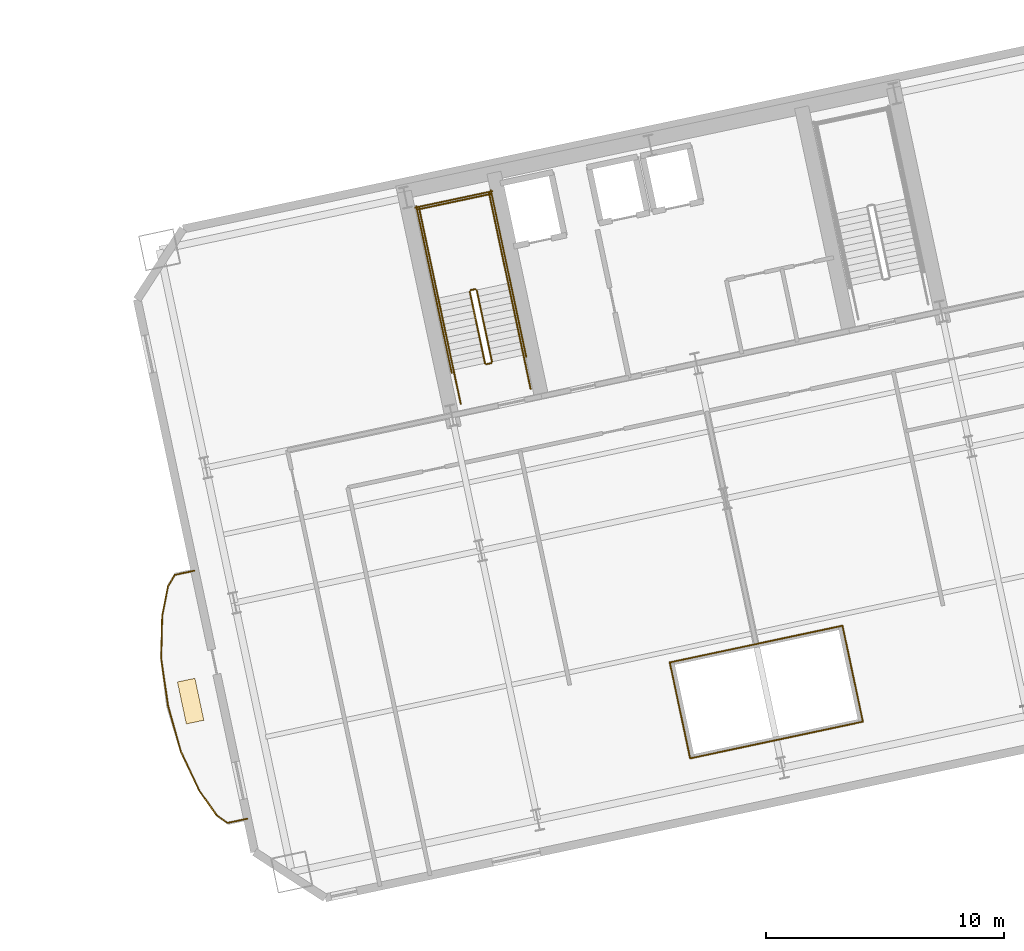
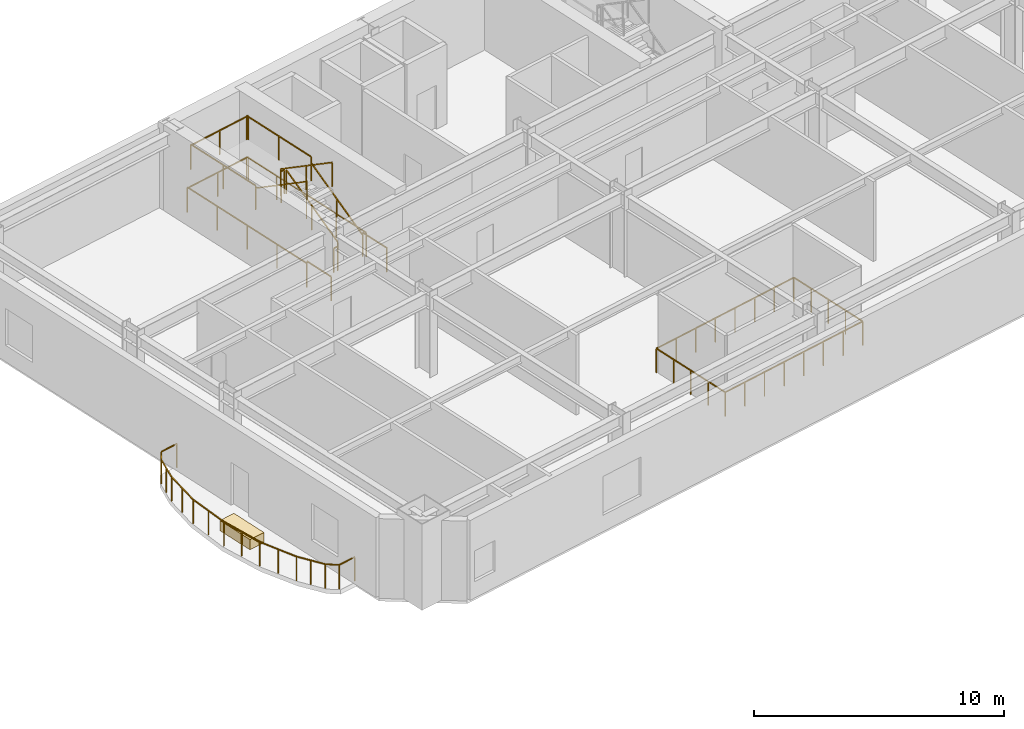
# One storey, part 14 of 15: 28 railings, 1 covering.
"""IFC4 building model written with IfcOpenShell, lengths in metres."""

import ifcopenshell
import ifcopenshell.guid

model = None  # the IFC model being written
_history = None  # IfcOwnerHistory: only IFC2X3 demands one
_inside = {}  # id of a spatial element -> (the spatial element, [elements in it])
_under = {}  # id of a project, library or spatial element -> (it, [spatial elements below it])
_declared = {}  # id of a project -> (the project, [libraries it declares])
_typed = {}  # id of a type object -> (the type object, [elements of that type])
_made_of = {}  # id of a material, layer set ... -> (it, [elements and type objects made of it])


def new_model(schema):
    """Start an empty IFC model of exactly this schema.

    Asked for "IFC4X3", IfcOpenShell would pick the latest addendum, in which some entities
    have other attributes; the version numbers below select the first issue.
    IFC2X3 requires an IfcOwnerHistory on every rooted entity: one is made here for all.
    """
    global model, _history
    if schema == "IFC4X3":
        model = ifcopenshell.file(schema_version=(4, 3, 0, 0))
    else:
        model = ifcopenshell.file(schema=schema)
    _inside.clear()
    _under.clear()
    _declared.clear()
    _typed.clear()
    _made_of.clear()
    _history = None
    if model.schema == "IFC2X3":
        org = make("IfcOrganization", Name="unknown")
        user = make(
            "IfcPersonAndOrganization",
            ThePerson=make("IfcPerson", FamilyName="unknown"),
            TheOrganization=org,
        )
        app = make(
            "IfcApplication",
            ApplicationDeveloper=org,
            Version="unknown",
            ApplicationFullName="unknown",
            ApplicationIdentifier="unknown",
        )
        _history = make(
            "IfcOwnerHistory",
            OwningUser=user,
            OwningApplication=app,
            ChangeAction="ADDED",
            CreationDate=0,
        )
    return model


def make(cls, **values):
    """One entity of the class cls with the attributes given. An attribute that is None is left unset."""
    return model.create_entity(
        cls, **{name: value for name, value in values.items() if value is not None}
    )


def rooted(cls, **values):
    """An entity with a GlobalId (a new one), such as an element, a storey or a relation."""
    return make(cls, GlobalId=ifcopenshell.guid.new(), OwnerHistory=_history, **values)


def si_unit(unit_type, name, prefix=None):
    """IfcSIUnit, for example si_unit("LENGTHUNIT", "METRE", prefix="MILLI")."""
    return make("IfcSIUnit", UnitType=unit_type, Prefix=prefix, Name=name)


def assignment(units):
    """IfcUnitAssignment: the units of a project."""
    return None if units is None else make("IfcUnitAssignment", Units=units)


def point(xyz):
    """IfcCartesianPoint."""
    return None if xyz is None else make("IfcCartesianPoint", Coordinates=xyz)


def direction(xyz):
    """IfcDirection."""
    return None if xyz is None else make("IfcDirection", DirectionRatios=xyz)


def frame(location, z_axis=None, x_axis=None):
    """IfcAxis2Placement3D, a coordinate frame: its origin and axes. An axis left out is left unset."""
    return make(
        "IfcAxis2Placement3D",
        Location=point(location),
        Axis=direction(z_axis),
        RefDirection=direction(x_axis),
    )


def frame_2d(location, x_axis=None):
    """IfcAxis2Placement2D, a coordinate frame in the plane: its origin and x axis."""
    return make(
        "IfcAxis2Placement2D", Location=point(location), RefDirection=direction(x_axis)
    )


def origin():
    """The frame at (0, 0, 0) with its axes left unset."""
    return frame((0.0, 0.0, 0.0))


def origin_2d():
    """The frame at (0, 0) in the plane with its x axis left unset."""
    return frame_2d((0.0, 0.0))


def place(relative_to, where):
    """IfcLocalPlacement: puts the frame where relative to a parent placement (None: the world)."""
    return make(
        "IfcLocalPlacement", PlacementRelTo=relative_to, RelativePlacement=where
    )


def context(
    kind, dimensions, precision=None, world=None, true_north=None, identifier=None
):
    """IfcGeometricRepresentationContext, for example the 3D "Model" context."""
    return make(
        "IfcGeometricRepresentationContext",
        ContextIdentifier=identifier,
        ContextType=kind,
        CoordinateSpaceDimension=dimensions,
        Precision=precision,
        WorldCoordinateSystem=world,
        TrueNorth=true_north,
    )


def subcontext(parent, identifier, kind, view, scale=None):
    """IfcGeometricRepresentationSubContext, for example "Body" below "Model"."""
    return make(
        "IfcGeometricRepresentationSubContext",
        ContextIdentifier=identifier,
        ContextType=kind,
        ParentContext=parent,
        TargetScale=scale,
        TargetView=view,
    )


def project(units=None, contexts=None):
    """IfcProject with its units and contexts."""
    return rooted(
        "IfcProject",
        Name="project",
        RepresentationContexts=contexts,
        UnitsInContext=assignment(units),
    )


def spatial(cls, under=None, at=None, **own):
    """A site, building, storey or space (cls), placed at a placement, below another one or the project."""
    s = rooted(cls, ObjectPlacement=at, **own)
    if under is not None:
        _under.setdefault(under.id(), (under, []))[1].append(s)
    return s


def profile(cls, at=None, kind="AREA", **sizes):
    """A parametric profile (cls). Its sizes go by their IFC names, for example OverallWidth=200.0."""
    return make(cls, ProfileType=kind, Position=at, **sizes)


def rectangle(**sizes):
    """IfcRectangleProfileDef."""
    return profile("IfcRectangleProfileDef", **sizes)


def extrude(swept, where, along, depth):
    """IfcExtrudedAreaSolid: the profile swept, set in the frame where, extruded along a direction by depth."""
    return make(
        "IfcExtrudedAreaSolid",
        SweptArea=swept,
        Position=where,
        ExtrudedDirection=direction(along),
        Depth=depth,
    )


def shape(context_of_items, identifier, shape_type, items):
    """IfcShapeRepresentation: the items that make up one representation, for example the "Body"."""
    return make(
        "IfcShapeRepresentation",
        ContextOfItems=context_of_items,
        RepresentationIdentifier=identifier,
        RepresentationType=shape_type,
        Items=items,
    )


def material(Name=None, Category=None):
    """IfcMaterial."""
    return make("IfcMaterial", Name=Name, Category=Category)


def layer(
    of_material, thickness, ventilated=None, Name=None, Category=None, Priority=None
):
    """IfcMaterialLayer: one layer of a wall or slab, of a material (None: an air gap)."""
    return make(
        "IfcMaterialLayer",
        Material=of_material,
        LayerThickness=thickness,
        IsVentilated=ventilated,
        Name=Name,
        Category=Category,
        Priority=Priority,
    )


def layer_set(layers, Name=None):
    """IfcMaterialLayerSet."""
    return make("IfcMaterialLayerSet", MaterialLayers=layers, LayerSetName=Name)


def made_of(thing, what):
    """Note that an element or type object is made of a material, layer set ...; save() writes the relation."""
    if what is not None:
        _made_of.setdefault(what.id(), (what, []))[1].append(thing)
    return thing


def type_object(cls, material=None, **own):
    """A type object (cls), such as IfcWallType, which elements share."""
    return made_of(rooted(cls, **own), material)


def element(
    cls,
    number,
    at=None,
    inside=None,
    cuts=None,
    type_object=None,
    material=None,
    context=None,
    identifier="Body",
    shape_type=None,
    held_by="IfcProductDefinitionShape",
    body=None,
    shapes=None,
    **own,
):
    """One element of the class cls, such as IfcWall. Its Tag is "e" and its number.

    at: its placement. inside: the storey or other place that contains it. cuts: it is an
    opening in that element (IfcRelVoidsElement). A single representation is given by context,
    identifier, shape_type and body (its items); several are given by shapes. held_by: the class
    of the entity that holds the representations. save() writes the other relations.
    """
    e = rooted(cls, Tag="e%d" % number, ObjectPlacement=at, **own)
    if body is not None:
        shapes = [shape(context, identifier, shape_type, body)]
    if shapes is not None:
        e.Representation = make(held_by, Representations=shapes)
    if inside is not None:
        _inside.setdefault(inside.id(), (inside, []))[1].append(e)
    if cuts is not None:
        rooted(
            "IfcRelVoidsElement", RelatingBuildingElement=cuts, RelatedOpeningElement=e
        )
    if type_object is not None:
        _typed.setdefault(type_object.id(), (type_object, []))[1].append(e)
    return made_of(e, material)


def aggregate(whole, parts):
    """IfcRelAggregates: a whole, such as a stair, and the parts it consists of."""
    return rooted("IfcRelAggregates", RelatingObject=whole, RelatedObjects=parts)


def save(model, path):
    """Write the relations noted so far, then the file.

    IfcRelAggregates (storeys below a building ...), IfcRelContainedInSpatialStructure (elements
    in a storey), IfcRelDefinesByType, IfcRelAssociatesMaterial and IfcRelDeclares: one each for
    every whole, place, type object, material and project.
    """
    for whole, parts in _under.values():
        aggregate(whole, parts)
    for where, things in _inside.values():
        rooted(
            "IfcRelContainedInSpatialStructure",
            RelatedElements=things,
            RelatingStructure=where,
        )
    for kind, things in _typed.values():
        rooted("IfcRelDefinesByType", RelatedObjects=things, RelatingType=kind)
    for what, things in _made_of.values():
        rooted("IfcRelAssociatesMaterial", RelatedObjects=things, RelatingMaterial=what)
    for by, libraries in _declared.values():
        rooted("IfcRelDeclares", RelatingContext=by, RelatedDefinitions=libraries)
    model.write(path)


model = new_model("IFC4")

# Units and contexts
model_context = context("Model", 3, precision=1e-05, world=origin(), true_north=direction((0.0, 1.0)))
body_context = subcontext(model_context, "Body", "Model", "MODEL_VIEW")
ifc_project = project(units=[si_unit("LENGTHUNIT", "METRE"), si_unit("AREAUNIT", "SQUARE_METRE"), si_unit("VOLUMEUNIT", "CUBIC_METRE"), si_unit("PLANEANGLEUNIT", "RADIAN"), si_unit("MASSUNIT", "GRAM", prefix="KILO")], contexts=[model_context])

# Site, building, storey
site_placement = place(None, origin())
site = spatial("IfcSite", under=ifc_project, at=site_placement, CompositionType="ELEMENT")
building_placement = place(site_placement, origin())
building = spatial("IfcBuilding", under=site, at=building_placement, Name="Haevon Station Towers", CompositionType="ELEMENT")
storey_placement = place(building_placement, frame((0.0, 0.0, 77.699951171875)))
storey = spatial("IfcBuildingStorey", under=building, at=storey_placement, Name="L20", CompositionType="ELEMENT", Elevation=77.699951171875)

# Railings
ifc_material_1 = material(Name="Steel S355", Category="steel")
railing_type_1 = type_object("IfcRailingType", Name="BAL-ATR1200", PredefinedType="BALUSTRADE", material=ifc_material_1)
railing_1_placement = place(storey_placement, frame((108.758544921875, 23.050048828125, 0.0)))
element("IfcRailing", 1, at=railing_1_placement, inside=storey, type_object=railing_type_1, Name="L20 Atrium Void Balustrade 1", PredefinedType="BALUSTRADE", context=body_context, shape_type="SweptSolid", body=[
    extrude(rectangle(XDim=0.048095703125, YDim=0.048095703125, at=origin_2d()), frame((0.0, 0.0, 1.17578125), z_axis=(0.978148717371, 0.207906437384, 0.0), x_axis=(-0.207906437384, 0.978148717371, 0.0)), (0.0, 0.0, 1.0), 7.40966796875),
    extrude(rectangle(XDim=0.0419921875, YDim=0.0419921875, at=origin_2d()), origin(), (0.0, 0.0, 1.0), 1.15185546875),
    extrude(rectangle(XDim=0.0419921875, YDim=0.0419921875, at=origin_2d()), frame((1.035400390625, 0.219970703125, 0.0)), (0.0, 0.0, 1.0), 1.15185546875),
    extrude(rectangle(XDim=0.0419921875, YDim=0.0419921875, at=origin_2d()), frame((2.07080078125, 0.440185546875, 0.0)), (0.0, 0.0, 1.0), 1.15185546875),
    extrude(rectangle(XDim=0.0419921875, YDim=0.0419921875, at=origin_2d()), frame((3.106201171875, 0.66015625, 0.0)), (0.0, 0.0, 1.0), 1.15185546875),
    extrude(rectangle(XDim=0.0419921875, YDim=0.0419921875, at=origin_2d()), frame((4.1416015625, 0.88037109375, 0.0)), (0.0, 0.0, 1.0), 1.15185546875),
    extrude(rectangle(XDim=0.0419921875, YDim=0.0419921875, at=origin_2d()), frame((5.177001953125, 1.100341796875, 0.0)), (0.0, 0.0, 1.0), 1.15185546875),
    extrude(rectangle(XDim=0.0419921875, YDim=0.0419921875, at=origin_2d()), frame((6.21240234375, 1.320556640625, 0.0)), (0.0, 0.0, 1.0), 1.15185546875),
    extrude(rectangle(XDim=0.0419921875, YDim=0.0419921875, at=origin_2d()), frame((7.247802734375, 1.54052734375, 0.0)), (0.0, 0.0, 1.0), 1.15185546875),
])
railing_2_placement = place(storey_placement, frame((116.00634765625, 24.590576171875, 0.0)))
element("IfcRailing", 2, at=railing_2_placement, inside=storey, type_object=railing_type_1, Name="L20 Atrium Void Balustrade 2", PredefinedType="BALUSTRADE", context=body_context, shape_type="SweptSolid", body=[
    extrude(rectangle(XDim=0.048095703125, YDim=0.048095703125, at=origin_2d()), frame((0.0, 0.0, 1.17578125), z_axis=(-0.207928976297, 0.978143926432, 0.0), x_axis=(-0.978143926432, -0.207928976297, 0.0)), (0.0, 0.0, 1.0), 4.11669921875),
    extrude(rectangle(XDim=0.0419921875, YDim=0.0419921875, at=origin_2d()), origin(), (0.0, 0.0, 1.0), 1.15185546875),
    extrude(rectangle(XDim=0.0419921875, YDim=0.0419921875, at=origin_2d()), frame((-0.2138671875, 1.006591796875, 0.0)), (0.0, 0.0, 1.0), 1.15185546875),
    extrude(rectangle(XDim=0.0419921875, YDim=0.0419921875, at=origin_2d()), frame((-0.427978515625, 2.01318359375, 0.0)), (0.0, 0.0, 1.0), 1.15185546875),
    extrude(rectangle(XDim=0.0419921875, YDim=0.0419921875, at=origin_2d()), frame((-0.64208984375, 3.02001953125, 0.0)), (0.0, 0.0, 1.0), 1.15185546875),
    extrude(rectangle(XDim=0.0419921875, YDim=0.0419921875, at=origin_2d()), frame((-0.85595703125, 4.026611328125, 0.0)), (0.0, 0.0, 1.0), 1.15185546875),
])
railing_3_placement = place(storey_placement, frame((115.150390625, 28.6171875, 0.0)))
element("IfcRailing", 3, at=railing_3_placement, inside=storey, type_object=railing_type_1, Name="L20 Atrium Void Balustrade 3", PredefinedType="BALUSTRADE", context=body_context, shape_type="SweptSolid", body=[
    extrude(rectangle(XDim=0.048095703125, YDim=0.048095703125, at=origin_2d()), frame((0.0, 0.0, 1.17578125), z_axis=(-0.978148717371, -0.207906437384, 0.0), x_axis=(0.207906437384, -0.978148717371, 0.0)), (0.0, 0.0, 1.0), 7.40966796875),
    extrude(rectangle(XDim=0.0419921875, YDim=0.0419921875, at=origin_2d()), origin(), (0.0, 0.0, 1.0), 1.15185546875),
    extrude(rectangle(XDim=0.0419921875, YDim=0.0419921875, at=origin_2d()), frame((-1.035400390625, -0.219970703125, 0.0)), (0.0, 0.0, 1.0), 1.15185546875),
    extrude(rectangle(XDim=0.0419921875, YDim=0.0419921875, at=origin_2d()), frame((-2.07080078125, -0.440185546875, 0.0)), (0.0, 0.0, 1.0), 1.15185546875),
    extrude(rectangle(XDim=0.0419921875, YDim=0.0419921875, at=origin_2d()), frame((-3.106201171875, -0.66015625, 0.0)), (0.0, 0.0, 1.0), 1.15185546875),
    extrude(rectangle(XDim=0.0419921875, YDim=0.0419921875, at=origin_2d()), frame((-4.1416015625, -0.88037109375, 0.0)), (0.0, 0.0, 1.0), 1.15185546875),
    extrude(rectangle(XDim=0.0419921875, YDim=0.0419921875, at=origin_2d()), frame((-5.177001953125, -1.100341796875, 0.0)), (0.0, 0.0, 1.0), 1.15185546875),
    extrude(rectangle(XDim=0.0419921875, YDim=0.0419921875, at=origin_2d()), frame((-6.21240234375, -1.320556640625, 0.0)), (0.0, 0.0, 1.0), 1.15185546875),
    extrude(rectangle(XDim=0.0419921875, YDim=0.0419921875, at=origin_2d()), frame((-7.247802734375, -1.54052734375, 0.0)), (0.0, 0.0, 1.0), 1.15185546875),
])
railing_4_placement = place(storey_placement, frame((107.902587890625, 27.07666015625, 0.0)))
element("IfcRailing", 4, at=railing_4_placement, inside=storey, type_object=railing_type_1, Name="L20 Atrium Void Balustrade 4", PredefinedType="BALUSTRADE", context=body_context, shape_type="SweptSolid", body=[
    extrude(rectangle(XDim=0.048095703125, YDim=0.048095703125, at=origin_2d()), frame((0.0, 0.0, 1.17578125), z_axis=(0.207928976297, -0.978143926432, 0.0), x_axis=(0.978143926432, 0.207928976297, 0.0)), (0.0, 0.0, 1.0), 4.11669921875),
    extrude(rectangle(XDim=0.0419921875, YDim=0.0419921875, at=origin_2d()), origin(), (0.0, 0.0, 1.0), 1.15185546875),
    extrude(rectangle(XDim=0.0419921875, YDim=0.0419921875, at=origin_2d()), frame((0.2138671875, -1.006591796875, 0.0)), (0.0, 0.0, 1.0), 1.15185546875),
    extrude(rectangle(XDim=0.0419921875, YDim=0.0419921875, at=origin_2d()), frame((0.427978515625, -2.01318359375, 0.0)), (0.0, 0.0, 1.0), 1.15185546875),
    extrude(rectangle(XDim=0.0419921875, YDim=0.0419921875, at=origin_2d()), frame((0.64208984375, -3.02001953125, 0.0)), (0.0, 0.0, 1.0), 1.15185546875),
    extrude(rectangle(XDim=0.0419921875, YDim=0.0419921875, at=origin_2d()), frame((0.85595703125, -4.026611328125, 0.0)), (0.0, 0.0, 1.0), 1.15185546875),
])
railing_type_2 = type_object("IfcRailingType", Name="GRD-EXT1200", PredefinedType="GUARDRAIL", material=ifc_material_1)
railing_5_placement = place(storey_placement, frame((87.947265625, 30.92578125, 0.0)))
element("IfcRailing", 5, at=railing_5_placement, inside=storey, type_object=railing_type_2, Name="L20 Perimeter Guardrail 1", PredefinedType="GUARDRAIL", context=body_context, shape_type="SweptSolid", body=[
    extrude(rectangle(XDim=0.048095703125, YDim=0.048095703125, at=origin_2d()), frame((0.0, 0.0, 1.17578125), z_axis=(-0.97761867619, -0.210384704682, 0.0), x_axis=(0.210384704682, -0.97761867619, 0.0)), (0.0, 0.0, 1.0), 0.837890625),
    extrude(rectangle(XDim=0.0419921875, YDim=0.0419921875, at=origin_2d()), origin(), (0.0, 0.0, 1.0), 1.15185546875),
    extrude(rectangle(XDim=0.0419921875, YDim=0.0419921875, at=origin_2d()), frame((-0.819091796875, -0.17626953125, 0.0)), (0.0, 0.0, 1.0), 1.15185546875),
])
railing_6_placement = place(storey_placement, frame((87.128173828125, 30.74951171875, 0.0)))
element("IfcRailing", 6, at=railing_6_placement, inside=storey, type_object=railing_type_2, Name="L20 Perimeter Guardrail 2", PredefinedType="GUARDRAIL", context=body_context, shape_type="SweptSolid", body=[
    extrude(rectangle(XDim=0.048095703125, YDim=0.048095703125, at=origin_2d()), frame((0.0, 0.0, 1.17578125), z_axis=(-0.508242948438, -0.861213739651, 0.0), x_axis=(0.861213739651, -0.508242948438, 0.0)), (0.0, 0.0, 1.0), 0.55810546875),
    extrude(rectangle(XDim=0.0419921875, YDim=0.0419921875, at=origin_2d()), origin(), (0.0, 0.0, 1.0), 1.15185546875),
    extrude(rectangle(XDim=0.0419921875, YDim=0.0419921875, at=origin_2d()), frame((-0.28369140625, -0.480712890625, 0.0)), (0.0, 0.0, 1.0), 1.15185546875),
])
railing_7_placement = place(storey_placement, frame((86.844482421875, 30.268798828125, 0.0)))
element("IfcRailing", 7, at=railing_7_placement, inside=storey, type_object=railing_type_2, Name="L20 Perimeter Guardrail 3", PredefinedType="GUARDRAIL", context=body_context, shape_type="SweptSolid", body=[
    extrude(rectangle(XDim=0.048095703125, YDim=0.048095703125, at=origin_2d()), frame((0.0, 0.0, 1.17578125), z_axis=(-0.193200510437, -0.981159295307, 0.0), x_axis=(0.981159295307, -0.193200510437, 0.0)), (0.0, 0.0, 1.0), 1.2724609375),
    extrude(rectangle(XDim=0.0419921875, YDim=0.0419921875, at=origin_2d()), origin(), (0.0, 0.0, 1.0), 1.15185546875),
    extrude(rectangle(XDim=0.0419921875, YDim=0.0419921875, at=origin_2d()), frame((-0.123046875, -0.624267578125, 0.0)), (0.0, 0.0, 1.0), 1.15185546875),
    extrude(rectangle(XDim=0.0419921875, YDim=0.0419921875, at=origin_2d()), frame((-0.245849609375, -1.24853515625, 0.0)), (0.0, 0.0, 1.0), 1.15185546875),
])
railing_8_placement = place(storey_placement, frame((86.5986328125, 29.020263671875, 0.0)))
element("IfcRailing", 8, at=railing_8_placement, inside=storey, type_object=railing_type_2, Name="L20 Perimeter Guardrail 4", PredefinedType="GUARDRAIL", context=body_context, shape_type="SweptSolid", body=[
    extrude(rectangle(XDim=0.048095703125, YDim=0.048095703125, at=origin_2d()), frame((0.0, 0.0, 1.17578125), z_axis=(-0.023132504332, -0.999732407819, 0.0), x_axis=(0.999732407819, -0.023132504332, 0.0)), (0.0, 0.0, 1.0), 1.794189453125),
    extrude(rectangle(XDim=0.0419921875, YDim=0.0419921875, at=origin_2d()), origin(), (0.0, 0.0, 1.0), 1.15185546875),
    extrude(rectangle(XDim=0.0419921875, YDim=0.0419921875, at=origin_2d()), frame((-0.020751953125, -0.89697265625, 0.0)), (0.0, 0.0, 1.0), 1.15185546875),
    extrude(rectangle(XDim=0.0419921875, YDim=0.0419921875, at=origin_2d()), frame((-0.04150390625, -1.793701171875, 0.0)), (0.0, 0.0, 1.0), 1.15185546875),
])
railing_9_placement = place(storey_placement, frame((86.55712890625, 27.2265625, 0.0)))
element("IfcRailing", 9, at=railing_9_placement, inside=storey, type_object=railing_type_2, Name="L20 Perimeter Guardrail 5", PredefinedType="GUARDRAIL", context=body_context, shape_type="SweptSolid", body=[
    extrude(rectangle(XDim=0.048095703125, YDim=0.048095703125, at=origin_2d()), frame((0.0, 0.0, 1.17578125), z_axis=(0.145733329145, -0.989323908928, 0.0), x_axis=(0.989323908928, 0.145733329145, 0.0)), (0.0, 0.0, 1.0), 1.996826171875),
    extrude(rectangle(XDim=0.0419921875, YDim=0.0419921875, at=origin_2d()), origin(), (0.0, 0.0, 1.0), 1.15185546875),
    extrude(rectangle(XDim=0.0419921875, YDim=0.0419921875, at=origin_2d()), frame((0.1455078125, -0.98779296875, 0.0)), (0.0, 0.0, 1.0), 1.15185546875),
    extrude(rectangle(XDim=0.0419921875, YDim=0.0419921875, at=origin_2d()), frame((0.291015625, -1.9755859375, 0.0)), (0.0, 0.0, 1.0), 1.15185546875),
])
railing_10_placement = place(storey_placement, frame((86.84814453125, 25.2509765625, 0.0)))
element("IfcRailing", 10, at=railing_10_placement, inside=storey, type_object=railing_type_2, Name="L20 Perimeter Guardrail 6", PredefinedType="GUARDRAIL", context=body_context, shape_type="SweptSolid", body=[
    extrude(rectangle(XDim=0.048095703125, YDim=0.048095703125, at=origin_2d()), frame((0.0, 0.0, 1.17578125), z_axis=(0.269339680849, -0.963045241056, 0.0), x_axis=(0.963045241056, 0.269339680849, 0.0)), (0.0, 0.0, 1.0), 1.996826171875),
    extrude(rectangle(XDim=0.0419921875, YDim=0.0419921875, at=origin_2d()), origin(), (0.0, 0.0, 1.0), 1.15185546875),
    extrude(rectangle(XDim=0.0419921875, YDim=0.0419921875, at=origin_2d()), frame((0.26904296875, -0.96142578125, 0.0)), (0.0, 0.0, 1.0), 1.15185546875),
    extrude(rectangle(XDim=0.0419921875, YDim=0.0419921875, at=origin_2d()), frame((0.537841796875, -1.923095703125, 0.0)), (0.0, 0.0, 1.0), 1.15185546875),
])
railing_11_placement = place(storey_placement, frame((87.385986328125, 23.327880859375, 0.0)))
element("IfcRailing", 11, at=railing_11_placement, inside=storey, type_object=railing_type_2, Name="L20 Perimeter Guardrail 7", PredefinedType="GUARDRAIL", context=body_context, shape_type="SweptSolid", body=[
    extrude(rectangle(XDim=0.048095703125, YDim=0.048095703125, at=origin_2d()), frame((0.0, 0.0, 1.17578125), z_axis=(0.427676850936, -0.903931696077, 0.0), x_axis=(0.903931696077, 0.427676850936, 0.0)), (0.0, 0.0, 1.0), 1.794189453125),
    extrude(rectangle(XDim=0.0419921875, YDim=0.0419921875, at=origin_2d()), origin(), (0.0, 0.0, 1.0), 1.15185546875),
    extrude(rectangle(XDim=0.0419921875, YDim=0.0419921875, at=origin_2d()), frame((0.3837890625, -0.81103515625, 0.0)), (0.0, 0.0, 1.0), 1.15185546875),
    extrude(rectangle(XDim=0.0419921875, YDim=0.0419921875, at=origin_2d()), frame((0.767333984375, -1.621826171875, 0.0)), (0.0, 0.0, 1.0), 1.15185546875),
])
railing_12_placement = place(storey_placement, frame((88.1533203125, 21.7060546875, 0.0)))
element("IfcRailing", 12, at=railing_12_placement, inside=storey, type_object=railing_type_2, Name="L20 Perimeter Guardrail 8", PredefinedType="GUARDRAIL", context=body_context, shape_type="SweptSolid", body=[
    extrude(rectangle(XDim=0.048095703125, YDim=0.048095703125, at=origin_2d()), frame((0.0, 0.0, 1.17578125), z_axis=(0.575597959633, -0.817732834651, 0.0), x_axis=(0.817732834651, 0.575597959633, 0.0)), (0.0, 0.0, 1.0), 1.2724609375),
    extrude(rectangle(XDim=0.0419921875, YDim=0.0419921875, at=origin_2d()), origin(), (0.0, 0.0, 1.0), 1.15185546875),
    extrude(rectangle(XDim=0.0419921875, YDim=0.0419921875, at=origin_2d()), frame((0.3662109375, -0.520263671875, 0.0)), (0.0, 0.0, 1.0), 1.15185546875),
    extrude(rectangle(XDim=0.0419921875, YDim=0.0419921875, at=origin_2d()), frame((0.732421875, -1.04052734375, 0.0)), (0.0, 0.0, 1.0), 1.15185546875),
])
railing_13_placement = place(storey_placement, frame((88.8857421875, 20.66552734375, 0.0)))
element("IfcRailing", 13, at=railing_13_placement, inside=storey, type_object=railing_type_2, Name="L20 Perimeter Guardrail 9", PredefinedType="GUARDRAIL", context=body_context, shape_type="SweptSolid", body=[
    extrude(rectangle(XDim=0.048095703125, YDim=0.048095703125, at=origin_2d()), frame((0.0, 0.0, 1.17578125), z_axis=(0.814353577604, -0.580369064168, 0.0), x_axis=(0.580369064168, 0.814353577604, 0.0)), (0.0, 0.0, 1.0), 0.55810546875),
    extrude(rectangle(XDim=0.0419921875, YDim=0.0419921875, at=origin_2d()), origin(), (0.0, 0.0, 1.0), 1.15185546875),
    extrude(rectangle(XDim=0.0419921875, YDim=0.0419921875, at=origin_2d()), frame((0.45458984375, -0.323974609375, 0.0)), (0.0, 0.0, 1.0), 1.15185546875),
])
railing_14_placement = place(storey_placement, frame((89.34033203125, 20.341552734375, 0.0)))
element("IfcRailing", 14, at=railing_14_placement, inside=storey, type_object=railing_type_2, Name="L20 Perimeter Guardrail 10", PredefinedType="GUARDRAIL", context=body_context, shape_type="SweptSolid", body=[
    extrude(rectangle(XDim=0.048095703125, YDim=0.048095703125, at=origin_2d()), frame((0.0, 0.0, 1.17578125), z_axis=(0.978617737227, 0.20568744343, 0.0), x_axis=(-0.20568744343, 0.978617737227, 0.0)), (0.0, 0.0, 1.0), 0.837890625),
    extrude(rectangle(XDim=0.0419921875, YDim=0.0419921875, at=origin_2d()), origin(), (0.0, 0.0, 1.0), 1.15185546875),
    extrude(rectangle(XDim=0.0419921875, YDim=0.0419921875, at=origin_2d()), frame((0.820068359375, 0.17236328125, 0.0)), (0.0, 0.0, 1.0), 1.15185546875),
])
railing_type_3 = type_object("IfcRailingType", Name="GRD-STR1200", PredefinedType="GUARDRAIL", material=ifc_material_1)
railing_15_placement = place(storey_placement, frame((100.44140625, 39.69287109375, 0.175048828125)))
element("IfcRailing", 15, at=railing_15_placement, inside=storey, type_object=railing_type_3, Name="L20 ST3 Stair Guard 1", PredefinedType="GUARDRAIL", context=body_context, shape_type="SweptSolid", body=[
    extrude(rectangle(XDim=0.048095703125, YDim=0.048095703125, at=origin_2d()), frame((0.0, 0.0, 1.17578125), z_axis=(-0.176310905062, 0.829461139329, 0.53000819154), x_axis=(-0.978146762005, -0.207915636689, 0.0)), (0.0, 0.0, 1.0), 3.632080078125),
    extrude(rectangle(XDim=0.0419921875, YDim=0.0419921875, at=origin_2d()), origin(), (0.0, 0.0, 1.0), 1.15185546875),
    extrude(rectangle(XDim=0.0419921875, YDim=0.0419921875, at=origin_2d()), frame((-0.3203125, 1.50634765625, 0.96240234375)), (0.0, 0.0, 1.0), 1.15185546875),
    extrude(rectangle(XDim=0.0419921875, YDim=0.0419921875, at=origin_2d()), frame((-0.640380859375, 3.0126953125, 1.925048828125)), (0.0, 0.0, 1.0), 1.15185546875),
])
railing_16_placement = place(storey_placement, frame((99.74169921875, 42.743896484375, 2.10009765625)))
element("IfcRailing", 16, at=railing_16_placement, inside=storey, type_object=railing_type_3, Name="L20 ST3 Stair Guard 2", PredefinedType="GUARDRAIL", context=body_context, shape_type="SweptSolid", body=[
    extrude(rectangle(XDim=0.048095703125, YDim=0.048095703125, at=origin_2d()), frame((0.0, 0.0, 1.17578125), z_axis=(-0.978211583308, -0.207610448392, 0.0), x_axis=(0.207610448392, -0.978211583308, 0.0)), (0.0, 0.0, 1.0), 0.199951171875),
    extrude(rectangle(XDim=0.0419921875, YDim=0.0419921875, at=origin_2d()), origin(), (0.0, 0.0, 1.0), 1.15185546875),
    extrude(rectangle(XDim=0.0419921875, YDim=0.0419921875, at=origin_2d()), frame((-0.195556640625, -0.04150390625, 0.0)), (0.0, 0.0, 1.0), 1.15185546875),
])
railing_17_placement = place(storey_placement, frame((101.12158203125, 42.986083984375, 2.10009765625)))
element("IfcRailing", 17, at=railing_17_placement, inside=storey, type_object=railing_type_3, Name="L20 ST3 Stair Guard 3", PredefinedType="GUARDRAIL", context=body_context, shape_type="SweptSolid", body=[
    extrude(rectangle(XDim=0.048095703125, YDim=0.048095703125, at=origin_2d()), frame((0.0, 0.0, 1.17578125), z_axis=(-0.207930432828, 0.978143616809, 0.0), x_axis=(-0.978143616809, -0.207930432828, 0.0)), (0.0, 0.0, 1.0), 3.869873046875),
    extrude(rectangle(XDim=0.0419921875, YDim=0.0419921875, at=origin_2d()), origin(), (0.0, 0.0, 1.0), 1.15185546875),
    extrude(rectangle(XDim=0.0419921875, YDim=0.0419921875, at=origin_2d()), frame((-0.40234375, 1.892578125, 0.0)), (0.0, 0.0, 1.0), 1.15185546875),
    extrude(rectangle(XDim=0.0419921875, YDim=0.0419921875, at=origin_2d()), frame((-0.8046875, 3.785400390625, 0.0)), (0.0, 0.0, 1.0), 1.15185546875),
])
railing_18_placement = place(storey_placement, frame((98.18701171875, 42.3623046875, 2.10009765625)))
element("IfcRailing", 18, at=railing_18_placement, inside=storey, type_object=railing_type_3, Name="L20 ST3 Stair Guard 4", PredefinedType="GUARDRAIL", context=body_context, shape_type="SweptSolid", body=[
    extrude(rectangle(XDim=0.048095703125, YDim=0.048095703125, at=origin_2d()), frame((0.0, 0.0, 1.17578125), z_axis=(-0.207857246892, 0.978159171564, 0.0), x_axis=(-0.978159171564, -0.207857246892, 0.0)), (0.0, 0.0, 1.0), 3.8701171875),
    extrude(rectangle(XDim=0.0419921875, YDim=0.0419921875, at=origin_2d()), origin(), (0.0, 0.0, 1.0), 1.15185546875),
    extrude(rectangle(XDim=0.0419921875, YDim=0.0419921875, at=origin_2d()), frame((-0.40234375, 1.892822265625, 0.0)), (0.0, 0.0, 1.0), 1.15185546875),
    extrude(rectangle(XDim=0.0419921875, YDim=0.0419921875, at=origin_2d()), frame((-0.804443359375, 3.78564453125, 0.0)), (0.0, 0.0, 1.0), 1.15185546875),
])
railing_19_placement = place(storey_placement, frame((100.376220703125, 46.733154296875, 2.10009765625)))
element("IfcRailing", 19, at=railing_19_placement, inside=storey, type_object=railing_type_3, Name="L20 ST3 Stair Guard 5", PredefinedType="GUARDRAIL", context=body_context, shape_type="SweptSolid", body=[
    extrude(rectangle(XDim=0.048095703125, YDim=0.048095703125, at=origin_2d()), frame((0.0, 0.0, 1.17578125), z_axis=(-0.978146839882, -0.207915270313, 0.0), x_axis=(0.207915270313, -0.978146839882, 0.0)), (0.0, 0.0, 1.0), 3.099853515625),
    extrude(rectangle(XDim=0.0419921875, YDim=0.0419921875, at=origin_2d()), origin(), (0.0, 0.0, 1.0), 1.15185546875),
    extrude(rectangle(XDim=0.0419921875, YDim=0.0419921875, at=origin_2d()), frame((-1.51611328125, -0.322265625, 0.0)), (0.0, 0.0, 1.0), 1.15185546875),
    extrude(rectangle(XDim=0.0419921875, YDim=0.0419921875, at=origin_2d()), frame((-3.0322265625, -0.64453125, 0.0)), (0.0, 0.0, 1.0), 1.15185546875),
])
railing_20_placement = place(storey_placement, frame((99.507568359375, 42.64306640625, 2.275146484375)))
element("IfcRailing", 20, at=railing_20_placement, inside=storey, type_object=railing_type_3, Name="L20 ST3 Stair Guard 6", PredefinedType="GUARDRAIL", context=body_context, shape_type="SweptSolid", body=[
    extrude(rectangle(XDim=0.048095703125, YDim=0.048095703125, at=origin_2d()), frame((0.0, 0.0, 1.17578125), z_axis=(0.176317186199, -0.829490689172, 0.5299598536), x_axis=(0.978146762005, 0.207915636689, 0.0)), (0.0, 0.0, 1.0), 3.632080078125),
    extrude(rectangle(XDim=0.0419921875, YDim=0.0419921875, at=origin_2d()), origin(), (0.0, 0.0, 1.0), 1.15185546875),
    extrude(rectangle(XDim=0.0419921875, YDim=0.0419921875, at=origin_2d()), frame((0.3203125, -1.50634765625, 0.96240234375)), (0.0, 0.0, 1.0), 1.15185546875),
    extrude(rectangle(XDim=0.0419921875, YDim=0.0419921875, at=origin_2d()), frame((0.640380859375, -3.0126953125, 1.9248046875)), (0.0, 0.0, 1.0), 1.15185546875),
])
railing_21_placement = place(storey_placement, frame((100.40283203125, 39.633544921875, 0.0)))
element("IfcRailing", 21, at=railing_21_placement, inside=storey, type_object=railing_type_3, Name="L20 ST3 Stair Guard 7", PredefinedType="GUARDRAIL", context=body_context, shape_type="SweptSolid", body=[
    extrude(rectangle(XDim=0.048095703125, YDim=0.048095703125, at=origin_2d()), frame((0.0, 0.0, 1.17578125), z_axis=(-0.977962931203, -0.208778603291, 0.0), x_axis=(0.208778603291, -0.977962931203, 0.0)), (0.0, 0.0, 1.0), 0.199951171875),
    extrude(rectangle(XDim=0.0419921875, YDim=0.0419921875, at=origin_2d()), origin(), (0.0, 0.0, 1.0), 1.15185546875),
    extrude(rectangle(XDim=0.0419921875, YDim=0.0419921875, at=origin_2d()), frame((-0.195556640625, -0.041748046875, 0.0)), (0.0, 0.0, 1.0), 1.15185546875),
])
for number, where, name in (
    (22, (102.0634765625, 38.55517578125, 0.0), "L20 ST3 Stair Guard 8"),
    (23, (99.12890625, 37.931396484375, 0.0), "L20 ST3 Stair Guard 9"),
):
    element("IfcRailing", number, at=place(storey_placement, frame(where)), inside=storey, type_object=railing_type_3, Name=name, PredefinedType="GUARDRAIL", context=body_context, shape_type="SweptSolid", body=[
        extrude(rectangle(XDim=0.048095703125, YDim=0.048095703125, at=origin_2d()), frame((0.0, 0.0, 1.17578125), z_axis=(-0.207953405961, 0.978138732977, 0.0), x_axis=(-0.978138732977, -0.207953405961, 0.0)), (0.0, 0.0, 1.0), 1.449951171875),
        extrude(rectangle(XDim=0.0419921875, YDim=0.0419921875, at=origin_2d()), origin(), (0.0, 0.0, 1.0), 1.15185546875),
        extrude(rectangle(XDim=0.0419921875, YDim=0.0419921875, at=origin_2d()), frame((-0.301513671875, 1.418212890625, 0.0)), (0.0, 0.0, 1.0), 1.15185546875),
    ])
railing_22_placement = place(storey_placement, frame((101.88037109375, 39.896484375, 0.0)))
element("IfcRailing", 24, at=railing_22_placement, inside=storey, type_object=railing_type_3, Name="L20 ST3 Stair Guard 10", PredefinedType="GUARDRAIL", context=body_context, shape_type="SweptSolid", body=[
    extrude(rectangle(XDim=0.048095703125, YDim=0.048095703125, at=origin_2d()), frame((0.0, 0.0, 1.17578125), z_axis=(-0.207882442208, 0.978153817261, 0.0), x_axis=(-0.978153817261, -0.207882442208, 0.0)), (0.0, 0.0, 1.0), 7.14990234375),
    extrude(rectangle(XDim=0.0419921875, YDim=0.0419921875, at=origin_2d()), origin(), (0.0, 0.0, 1.0), 1.15185546875),
    extrude(rectangle(XDim=0.0419921875, YDim=0.0419921875, at=origin_2d()), frame((-0.37158203125, 1.74853515625, 0.0)), (0.0, 0.0, 1.0), 1.15185546875),
    extrude(rectangle(XDim=0.0419921875, YDim=0.0419921875, at=origin_2d()), frame((-0.7431640625, 3.496826171875, 0.0)), (0.0, 0.0, 1.0), 1.15185546875),
    extrude(rectangle(XDim=0.0419921875, YDim=0.0419921875, at=origin_2d()), frame((-1.11474609375, 5.2451171875, 0.0)), (0.0, 0.0, 1.0), 1.15185546875),
    extrude(rectangle(XDim=0.0419921875, YDim=0.0419921875, at=origin_2d()), frame((-1.486328125, 6.99365234375, 0.0)), (0.0, 0.0, 1.0), 1.15185546875),
])
railing_23_placement = place(storey_placement, frame((98.75048828125, 39.231201171875, 0.0)))
element("IfcRailing", 25, at=railing_23_placement, inside=storey, type_object=railing_type_3, Name="L20 ST3 Stair Guard 11", PredefinedType="GUARDRAIL", context=body_context, shape_type="SweptSolid", body=[
    extrude(rectangle(XDim=0.048095703125, YDim=0.048095703125, at=origin_2d()), frame((0.0, 0.0, 1.17578125), z_axis=(-0.207915112487, 0.978146873429, 0.0), x_axis=(-0.978146873429, -0.207915112487, 0.0)), (0.0, 0.0, 1.0), 7.14990234375),
    extrude(rectangle(XDim=0.0419921875, YDim=0.0419921875, at=origin_2d()), origin(), (0.0, 0.0, 1.0), 1.15185546875),
    extrude(rectangle(XDim=0.0419921875, YDim=0.0419921875, at=origin_2d()), frame((-0.37158203125, 1.74853515625, 0.0)), (0.0, 0.0, 1.0), 1.15185546875),
    extrude(rectangle(XDim=0.0419921875, YDim=0.0419921875, at=origin_2d()), frame((-0.7431640625, 3.496826171875, 0.0)), (0.0, 0.0, 1.0), 1.15185546875),
    extrude(rectangle(XDim=0.0419921875, YDim=0.0419921875, at=origin_2d()), frame((-1.114990234375, 5.2451171875, 0.0)), (0.0, 0.0, 1.0), 1.15185546875),
    extrude(rectangle(XDim=0.0419921875, YDim=0.0419921875, at=origin_2d()), frame((-1.486572265625, 6.99365234375, 0.0)), (0.0, 0.0, 1.0), 1.15185546875),
])
railing_24_placement = place(storey_placement, frame((100.453125, 46.8515625, 0.0)))
element("IfcRailing", 26, at=railing_24_placement, inside=storey, type_object=railing_type_3, Name="L20 ST3 Stair Guard 12", PredefinedType="GUARDRAIL", context=body_context, shape_type="SweptSolid", body=[
    extrude(rectangle(XDim=0.048095703125, YDim=0.048095703125, at=origin_2d()), frame((0.0, 0.0, 1.17578125), z_axis=(-0.978150764849, -0.207896804268, 0.0), x_axis=(0.207896804268, -0.978150764849, 0.0)), (0.0, 0.0, 1.0), 3.2998046875),
    extrude(rectangle(XDim=0.0419921875, YDim=0.0419921875, at=origin_2d()), origin(), (0.0, 0.0, 1.0), 1.15185546875),
    extrude(rectangle(XDim=0.0419921875, YDim=0.0419921875, at=origin_2d()), frame((-1.61376953125, -0.343017578125, 0.0)), (0.0, 0.0, 1.0), 1.15185546875),
    extrude(rectangle(XDim=0.0419921875, YDim=0.0419921875, at=origin_2d()), frame((-3.227783203125, -0.68603515625, 0.0)), (0.0, 0.0, 1.0), 1.15185546875),
])
railing_type_4 = type_object("IfcRailingType", Name="HND-STR900", PredefinedType="HANDRAIL", material=ifc_material_1)
railing_25_placement = place(storey_placement, frame((101.761962890625, 39.973388671875, 0.175048828125)))
element("IfcRailing", 27, at=railing_25_placement, inside=storey, type_object=railing_type_4, Name="L20 ST3 Stair Handrail 1", PredefinedType="HANDRAIL", context=body_context, shape_type="SweptSolid", body=[
    extrude(rectangle(XDim=0.048095703125, YDim=0.048095703125, at=origin_2d()), frame((0.0, 0.0, 0.8759765625), z_axis=(-0.176310905062, 0.829461139329, 0.53000819154), x_axis=(-0.978146762005, -0.207915636689, 0.0)), (0.0, 0.0, 1.0), 3.632080078125),
    extrude(rectangle(XDim=0.0419921875, YDim=0.0419921875, at=origin_2d()), origin(), (0.0, 0.0, 1.0), 0.851806640625),
    extrude(rectangle(XDim=0.0419921875, YDim=0.0419921875, at=origin_2d()), frame((-0.3203125, 1.50634765625, 0.96240234375)), (0.0, 0.0, 1.0), 0.851806640625),
    extrude(rectangle(XDim=0.0419921875, YDim=0.0419921875, at=origin_2d()), frame((-0.640380859375, 3.0126953125, 1.925048828125)), (0.0, 0.0, 1.0), 0.851806640625),
])
railing_26_placement = place(storey_placement, frame((98.18701171875, 42.3623046875, 2.275146484375)))
element("IfcRailing", 28, at=railing_26_placement, inside=storey, type_object=railing_type_4, Name="L20 ST3 Stair Handrail 2", PredefinedType="HANDRAIL", context=body_context, shape_type="SweptSolid", body=[
    extrude(rectangle(XDim=0.048095703125, YDim=0.048095703125, at=origin_2d()), frame((0.0, 0.0, 0.8759765625), z_axis=(0.176317186199, -0.829490689172, 0.5299598536), x_axis=(0.978146762005, 0.207915636689, 0.0)), (0.0, 0.0, 1.0), 3.632080078125),
    extrude(rectangle(XDim=0.0419921875, YDim=0.0419921875, at=origin_2d()), origin(), (0.0, 0.0, 1.0), 0.851806640625),
    extrude(rectangle(XDim=0.0419921875, YDim=0.0419921875, at=origin_2d()), frame((0.3203125, -1.50634765625, 0.96240234375)), (0.0, 0.0, 1.0), 0.851806640625),
    extrude(rectangle(XDim=0.0419921875, YDim=0.0419921875, at=origin_2d()), frame((0.640380859375, -3.0126953125, 1.9248046875)), (0.0, 0.0, 1.0), 0.851806640625),
])

# Covering
ifc_material_2 = material(Name="Architectural planter GRC", Category="concrete")
ifc_layer = layer(ifc_material_2, 0.550048828125)
ifc_layer_set = layer_set([ifc_layer], Name="Architectural planter GRC")
covering_type = type_object("IfcCoveringType", Name="PLN-GRC550", PredefinedType="MOLDING", material=ifc_layer_set)
covering_placement = place(storey_placement, frame((87.794921875, 25.4521484375, 0.0), z_axis=(0.0, 0.0, 1.0), x_axis=(0.978147600734, 0.207911690818, 0.0)))
element("IfcCovering", 29, at=covering_placement, inside=storey, type_object=covering_type, Name="Tower 2 L20 Scalloped Balcony PLANTER", PredefinedType="MOLDING", context=body_context, shape_type="SweptSolid", body=[
    extrude(rectangle(XDim=0.75, YDim=1.800048828125, at=origin_2d()), origin(), (0.0, 0.0, 1.0), 0.5),
])

save(model, "model.ifc")
